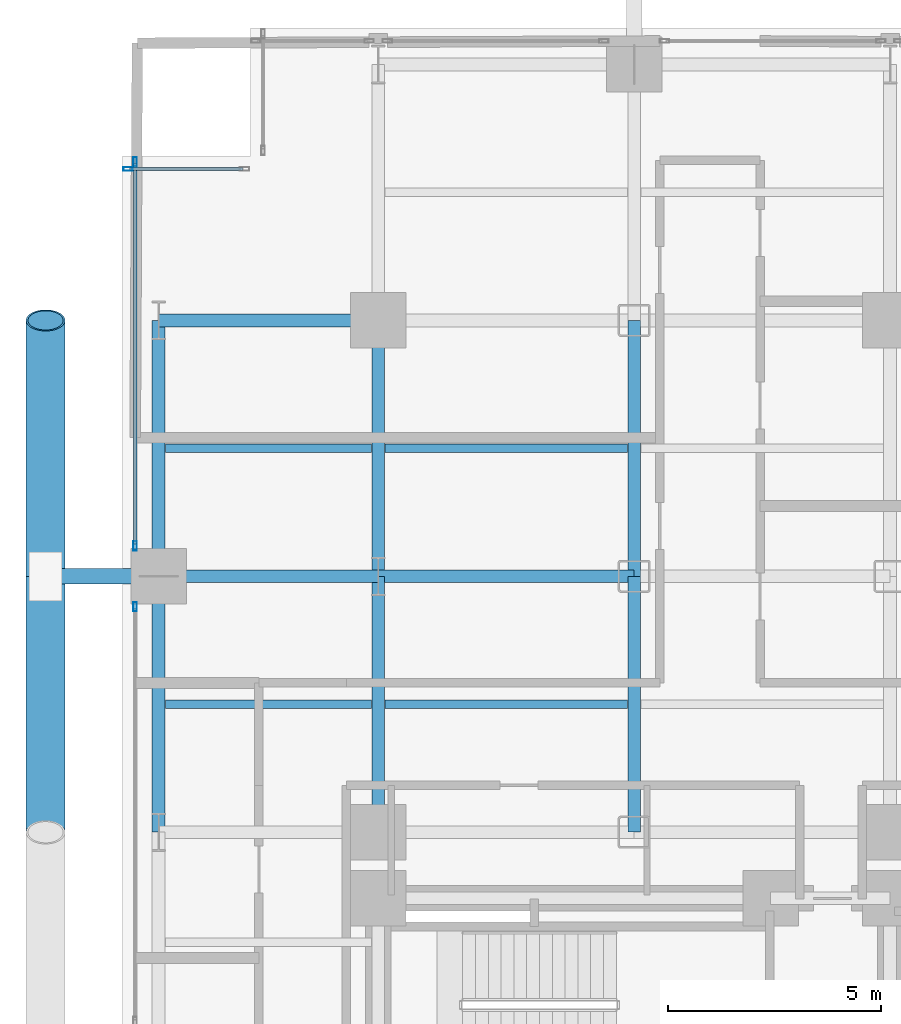
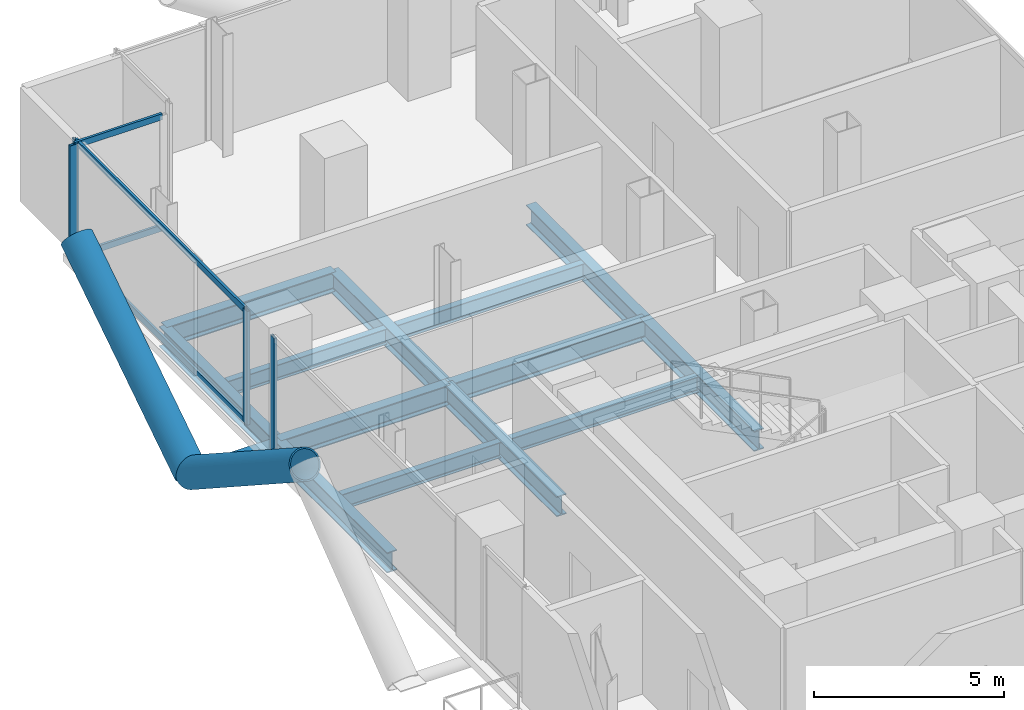
# One storey, part 13 of 25: 13 beams, 11 members, 3 elements without a shape of their own.
"""IFC4 building model written with IfcOpenShell, lengths in metres."""

from ifc_helpers import new_model, si_unit, direction, frame, origin, origin_2d, place, context, subcontext, project, spatial, hollow_rectangle, hollow_circle, i_section, extrude, material, layer, layer_set, material_profile, profile_set, type_object, element, aggregate, save


model = new_model("IFC4")

# Units and contexts
model_context = context("Model", 3, precision=1e-05, world=origin(), true_north=direction((0.0, 1.0)))
body_context = subcontext(model_context, "Body", "Model", "MODEL_VIEW")
ifc_project = project(units=[si_unit("LENGTHUNIT", "METRE"), si_unit("AREAUNIT", "SQUARE_METRE"), si_unit("VOLUMEUNIT", "CUBIC_METRE"), si_unit("PLANEANGLEUNIT", "RADIAN"), si_unit("MASSUNIT", "GRAM", prefix="KILO"), si_unit("THERMODYNAMICTEMPERATUREUNIT", "KELVIN"), si_unit("POWERUNIT", "WATT")], contexts=[model_context])

# Site, building, storey
site_placement = place(None, origin())
site = spatial("IfcSite", under=ifc_project, at=site_placement, CompositionType="ELEMENT")
building_placement = place(site_placement, origin())
building = spatial("IfcBuilding", under=site, at=building_placement, Name="Svarakhadi Broadcast Tower", CompositionType="ELEMENT")
storey_placement = place(building_placement, frame((0.0, 0.0, 83.10009765625)))
storey = spatial("IfcBuildingStorey", under=building, at=storey_placement, Name="L19", CompositionType="ELEMENT", Elevation=83.10009765625)

# Beams
ifc_material_1 = material(Name="Steel S355J2 (IS 2062 E350C)", Category="steel")
ifc_material_profile_1 = material_profile(ifc_material_1, i_section(OverallWidth=0.199951171875, OverallDepth=0.5, WebThickness=0.01025390625, FlangeThickness=0.01611328125, FilletRadius=0.02099609375, at=origin_2d()), Name="NPB 500x200x91")
ifc_profile_set_1 = profile_set([ifc_material_profile_1], Name="Steel S355J2 (IS 2062 E350C)")
beam_type_1 = type_object("IfcBeamType", Name="Beam_NPB500", PredefinedType="BEAM", material=ifc_profile_set_1)
for number, where, z_axis, x_axis, name in (
    (1, (1.010009765625, 32.14990234375, -0.5), (1.0, 0.0, 0.0), (0.0, 1.0, 0.0), "L19 Secondary Composite Beam SB005"),
    (2, (1.010009765625, 38.14990234375, -0.5), (1.0, 0.0, 0.0), (0.0, 1.0, 0.0), "L19 Secondary Composite Beam SB006"),
):
    element("IfcBeam", number, at=place(storey_placement, frame(where, z_axis=z_axis, x_axis=x_axis)), inside=storey, type_object=beam_type_1, Name=name, PredefinedType="BEAM", context=body_context, shape_type="SweptSolid", body=[
        extrude(i_section(OverallWidth=0.199951171875, OverallDepth=0.5, WebThickness=0.01025390625, FlangeThickness=0.01611328125, FilletRadius=0.02099609375, at=origin_2d()), origin(), (0.0, 0.0, 1.0), 4.830078125),
    ])
for number, where, z_axis, x_axis, name in (
    (3, (6.159912109375, 32.14990234375, -0.5), (1.0, 0.0, 0.0), (0.0, 1.0, 0.0), "L19 Secondary Composite Beam SB010"),
    (4, (6.159912109375, 38.14990234375, -0.5), (1.0, 0.0, 0.0), (0.0, 1.0, 0.0), "L19 Secondary Composite Beam SB011"),
):
    element("IfcBeam", number, at=place(storey_placement, frame(where, z_axis=z_axis, x_axis=x_axis)), inside=storey, type_object=beam_type_1, Name=name, PredefinedType="BEAM", context=body_context, shape_type="SweptSolid", body=[
        extrude(i_section(OverallWidth=0.199951171875, OverallDepth=0.5, WebThickness=0.01025390625, FlangeThickness=0.01611328125, FilletRadius=0.02099609375, at=origin_2d()), origin(), (0.0, 0.0, 1.0), 5.68017578125),
    ])

# Curtain wall, member
ifc_material_2 = material(Name="Anodised Bronze Aluminium AA 6063-T6", Category="aluminium")
ifc_layer = layer(ifc_material_2, 0.219970703125)
ifc_layer_set = layer_set([ifc_layer], Name="Anodised Bronze Aluminium AA 6063-T6")
curtain_wall_type = type_object("IfcCurtainWallType", Name="CW_Sys_02", PredefinedType="NOTDEFINED", material=ifc_layer_set)
curtain_wall_1_placement = place(storey_placement, origin())
curtain_wall_1 = element("IfcCurtainWall", 5, at=curtain_wall_1_placement, inside=storey, type_object=curtain_wall_type, Name="L19 West Curtain Wall 03 Bay 2", PredefinedType="NOTDEFINED")
ifc_material_profile_2 = material_profile(ifc_material_2, hollow_rectangle(XDim=0.0849609375, YDim=0.219970703125, WallThickness=0.006103515625, at=origin_2d()), Name="ALU MULLION 220x85x6")
ifc_profile_set_2 = profile_set([ifc_material_profile_2], Name="Anodised Bronze Aluminium AA 6063-T6")
member_type_1 = type_object("IfcMemberType", Name="CW_Sys_02_Mul", PredefinedType="MULLION", material=ifc_profile_set_2)
member_1_placement = place(storey_placement, frame((0.300048828125, 34.4375, 0.0), z_axis=(0.0, 0.0, 1.0), x_axis=(-1.0, 0.0, 0.0)))
member_1 = element("IfcMember", 6, at=member_1_placement, type_object=member_type_1, Name="CW-02 mullion 2", PredefinedType="MULLION", context=body_context, shape_type="SweptSolid", body=[
    extrude(hollow_rectangle(XDim=0.0849609375, YDim=0.219970703125, WallThickness=0.006103515625, at=origin_2d()), origin(), (0.0, 0.0, 1.0), 3.64990234375),
])
aggregate(curtain_wall_1, [member_1])

# Curtain wall, members
curtain_wall_2_placement = place(storey_placement, origin())
curtain_wall_2 = element("IfcCurtainWall", 7, at=curtain_wall_2_placement, inside=storey, type_object=curtain_wall_type, Name="L19 West Curtain Wall 03 Bay 3", PredefinedType="NOTDEFINED")
member_2_placement = place(storey_placement, frame((0.300048828125, 35.862548828125, 0.0), z_axis=(0.0, 0.0, 1.0), x_axis=(-1.0, 0.0, 0.0)))
member_2 = element("IfcMember", 8, at=member_2_placement, type_object=member_type_1, Name="CW-02 mullion 1", PredefinedType="MULLION", context=body_context, shape_type="SweptSolid", body=[
    extrude(hollow_rectangle(XDim=0.0849609375, YDim=0.219970703125, WallThickness=0.006103515625, at=origin_2d()), origin(), (0.0, 0.0, 1.0), 3.64990234375),
])
member_3_placement = place(storey_placement, frame((0.300048828125, 44.867431640625, 0.0), z_axis=(0.0, 0.0, 1.0), x_axis=(-1.0, 0.0, 0.0)))
member_3 = element("IfcMember", 9, at=member_3_placement, type_object=member_type_1, Name="CW-02 mullion 2", PredefinedType="MULLION", context=body_context, shape_type="SweptSolid", body=[
    extrude(hollow_rectangle(XDim=0.0849609375, YDim=0.219970703125, WallThickness=0.006103515625, at=origin_2d()), origin(), (0.0, 0.0, 1.0), 3.64990234375),
])

# Curtain wall, member
curtain_wall_3_placement = place(storey_placement, origin())
curtain_wall_3 = element("IfcCurtainWall", 10, at=curtain_wall_3_placement, inside=storey, type_object=curtain_wall_type, Name="L19 Unitised Facade Curtain Wall 04", PredefinedType="NOTDEFINED")
member_4_placement = place(storey_placement, frame((0.132568359375, 44.699951171875, 0.0), z_axis=(0.0, 0.0, 1.0), x_axis=(0.0, 1.0, 0.0)))
member_4 = element("IfcMember", 11, at=member_4_placement, type_object=member_type_1, Name="CW-02 mullion 1", PredefinedType="MULLION", context=body_context, shape_type="SweptSolid", body=[
    extrude(hollow_rectangle(XDim=0.0849609375, YDim=0.219970703125, WallThickness=0.006103515625, at=origin_2d()), origin(), (0.0, 0.0, 1.0), 3.64990234375),
])

# Member
ifc_material_profile_3 = material_profile(ifc_material_2, hollow_rectangle(XDim=0.074951171875, YDim=0.199951171875, WallThickness=0.0048828125, at=origin_2d()), Name="ALU TRANSOM 200x75x5")
ifc_profile_set_3 = profile_set([ifc_material_profile_3], Name="Anodised Bronze Aluminium AA 6063-T6")
member_type_2 = type_object("IfcMemberType", Name="CW_Sys_02_Trn", PredefinedType="USERDEFINED", material=ifc_profile_set_3)
member_5_placement = place(storey_placement, frame((0.300048828125, 35.905029296875, 0.037353515625), z_axis=(0.0, 1.0, 0.0), x_axis=(-1.0, 0.0, 0.0)))
member_5 = element("IfcMember", 12, at=member_5_placement, type_object=member_type_2, Name="CW-02 transom 1.1", ObjectType="TRANSOM", PredefinedType="USERDEFINED", context=body_context, shape_type="SweptSolid", body=[
    extrude(hollow_rectangle(XDim=0.074951171875, YDim=0.199951171875, WallThickness=0.0048828125, at=origin_2d()), origin(), (0.0, 0.0, 1.0), 8.919921875),
])

member_6_placement = place(storey_placement, frame((0.300048828125, 35.905029296875, 3.6123046875), z_axis=(0.0, 1.0, 0.0), x_axis=(-1.0, 0.0, 0.0)))
member_6 = element("IfcMember", 13, at=member_6_placement, type_object=member_type_2, Name="CW-02 transom 1.2", ObjectType="TRANSOM", PredefinedType="USERDEFINED", context=body_context, shape_type="SweptSolid", body=[
    extrude(hollow_rectangle(XDim=0.074951171875, YDim=0.199951171875, WallThickness=0.0048828125, at=origin_2d()), origin(), (0.0, 0.0, 1.0), 8.919921875),
])

aggregate(curtain_wall_2, [member_2, member_3, member_5, member_6])

member_7_placement = place(storey_placement, frame((0.175048828125, 44.699951171875, 0.037353515625), z_axis=(1.0, 0.0, 0.0), x_axis=(0.0, 1.0, 0.0)))
member_7 = element("IfcMember", 14, at=member_7_placement, type_object=member_type_2, Name="CW-02 transom 1.1", ObjectType="TRANSOM", PredefinedType="USERDEFINED", context=body_context, shape_type="SweptSolid", body=[
    extrude(hollow_rectangle(XDim=0.074951171875, YDim=0.199951171875, WallThickness=0.0048828125, at=origin_2d()), origin(), (0.0, 0.0, 1.0), 2.64990234375),
])

member_8_placement = place(storey_placement, frame((0.175048828125, 44.699951171875, 3.6123046875), z_axis=(1.0, 0.0, 0.0), x_axis=(0.0, 1.0, 0.0)))
member_8 = element("IfcMember", 15, at=member_8_placement, type_object=member_type_2, Name="CW-02 transom 1.2", ObjectType="TRANSOM", PredefinedType="USERDEFINED", context=body_context, shape_type="SweptSolid", body=[
    extrude(hollow_rectangle(XDim=0.074951171875, YDim=0.199951171875, WallThickness=0.0048828125, at=origin_2d()), origin(), (0.0, 0.0, 1.0), 2.64990234375),
])

aggregate(curtain_wall_3, [member_4, member_7, member_8])

# Members
ifc_material_3 = material(Name="Steel S460ML (IS 2062 E450BR)", Category="steel")
ifc_material_profile_4 = material_profile(ifc_material_3, hollow_circle(Radius=0.45703125, WallThickness=0.044921875, at=origin_2d()), Name="CHS 914x45")
ifc_profile_set_4 = profile_set([ifc_material_profile_4], Name="Steel S460ML (IS 2062 E450BR)")
member_type_3 = type_object("IfcMemberType", Name="Exo_Brace_CHS914", PredefinedType="BRACE", material=ifc_profile_set_4)
for number, where, z_axis, x_axis, name in (
    (16, (-1.800048828125, 35.14990234375, -0.427978515625), (0.0, -0.838434262763, 0.545002740383), (1.0, 0.0, 0.0), "L19 Exposed Bronze Exoskeleton Diagonal W06"),
    (17, (-1.800048828125, 35.14990234375, -0.427978515625), (0.0, 0.838434262763, 0.545002740383), (-1.0, 0.0, 0.0), "L19 Exposed Bronze Exoskeleton Diagonal W07"),
):
    element("IfcMember", number, at=place(storey_placement, frame(where, z_axis=z_axis, x_axis=x_axis)), inside=storey, type_object=member_type_3, Name=name, PredefinedType="BRACE", context=body_context, shape_type="SweptSolid", body=[
        extrude(hollow_circle(Radius=0.45703125, WallThickness=0.044921875, at=origin_2d()), origin(), (0.0, 0.0, 1.0), 7.15625),
    ])
ifc_material_profile_5 = material_profile(ifc_material_3, hollow_circle(Radius=0.177734375, WallThickness=0.02001953125, at=origin_2d()), Name="CHS 355.6x20")
ifc_profile_set_5 = profile_set([ifc_material_profile_5], Name="Steel S460ML (IS 2062 E450BR)")
member_type_4 = type_object("IfcMemberType", Name="Exo_Radial_Strut_Z1", PredefinedType="STRUT", material=ifc_profile_set_5)
member_9_placement = place(storey_placement, frame((-1.800048828125, 35.14990234375, -0.427978515625), z_axis=(1.0, 0.0, 0.0), x_axis=(0.0, 1.0, 0.0)))
element("IfcMember", 18, at=member_9_placement, inside=storey, type_object=member_type_4, Name="L19 Exoskeleton Radial Tie Strut W05", PredefinedType="STRUT", context=body_context, shape_type="SweptSolid", body=[
    extrude(hollow_circle(Radius=0.177734375, WallThickness=0.02001953125, at=origin_2d()), origin(), (0.0, 0.0, 1.0), 2.650146484375),
])

# Beams
ifc_material_profile_6 = material_profile(ifc_material_1, i_section(OverallWidth=0.300048828125, OverallDepth=0.64990234375, WebThickness=0.01611328125, FlangeThickness=0.031005859375, FilletRadius=0.027099609375, at=origin_2d()), Name="WPB 650x300x225")
ifc_profile_set_6 = profile_set([ifc_material_profile_6], Name="Steel S355J2 (IS 2062 E350C)")
beam_type_2 = type_object("IfcBeamType", Name="Girder_WPB650", PredefinedType="USERDEFINED", material=ifc_profile_set_6)
beam_1_placement = place(storey_placement, frame((0.85009765625, 35.14990234375, -0.5751953125), z_axis=(1.0, 0.0, 0.0), x_axis=(0.0, 1.0, 0.0)))
element("IfcBeam", 19, at=beam_1_placement, inside=storey, type_object=beam_type_2, Name="L19 Primary E-W Girder G037", ObjectType="GIRDER", PredefinedType="USERDEFINED", context=body_context, shape_type="SweptSolid", body=[
    extrude(i_section(OverallWidth=0.300048828125, OverallDepth=0.64990234375, WebThickness=0.01611328125, FlangeThickness=0.031005859375, FilletRadius=0.027099609375, at=origin_2d()), origin(), (0.0, 0.0, 1.0), 5.14990234375),
])
beam_2_placement = place(storey_placement, frame((6.0, 35.14990234375, -0.5751953125), z_axis=(1.0, 0.0, 0.0), x_axis=(0.0, 1.0, 0.0)))
element("IfcBeam", 20, at=beam_2_placement, inside=storey, type_object=beam_type_2, Name="L19 Primary E-W Girder G038", ObjectType="GIRDER", PredefinedType="USERDEFINED", context=body_context, shape_type="SweptSolid", body=[
    extrude(i_section(OverallWidth=0.300048828125, OverallDepth=0.64990234375, WebThickness=0.01611328125, FlangeThickness=0.031005859375, FilletRadius=0.027099609375, at=origin_2d()), origin(), (0.0, 0.0, 1.0), 6.0),
])
beam_3_placement = place(storey_placement, frame((0.85009765625, 41.14990234375, -0.5751953125), z_axis=(1.0, 0.0, 0.0), x_axis=(0.0, 1.0, 0.0)))
element("IfcBeam", 21, at=beam_3_placement, inside=storey, type_object=beam_type_2, Name="L19 Primary E-W Girder G040", ObjectType="GIRDER", PredefinedType="USERDEFINED", context=body_context, shape_type="SweptSolid", body=[
    extrude(i_section(OverallWidth=0.300048828125, OverallDepth=0.64990234375, WebThickness=0.01611328125, FlangeThickness=0.031005859375, FilletRadius=0.027099609375, at=origin_2d()), origin(), (0.0, 0.0, 1.0), 5.14990234375),
])
for number, where, z_axis, x_axis, name in (
    (22, (0.85009765625, 29.14990234375, -0.5751953125), (0.0, 1.0, 0.0), (-1.0, 0.0, 0.0), "L19 Primary N-S Girder G049"),
    (23, (0.85009765625, 35.14990234375, -0.5751953125), (0.0, 1.0, 0.0), (-1.0, 0.0, 0.0), "L19 Primary N-S Girder G050"),
    (24, (6.0, 29.14990234375, -0.5751953125), (0.0, 1.0, 0.0), (-1.0, 0.0, 0.0), "L19 Primary N-S Girder G055"),
    (25, (6.0, 35.14990234375, -0.5751953125), (0.0, 1.0, 0.0), (-1.0, 0.0, 0.0), "L19 Primary N-S Girder G056"),
    (26, (12.0, 29.14990234375, -0.5751953125), (0.0, 1.0, 0.0), (-1.0, 0.0, 0.0), "L19 Primary N-S Girder G061"),
    (27, (12.0, 35.14990234375, -0.5751953125), (0.0, 1.0, 0.0), (-1.0, 0.0, 0.0), "L19 Primary N-S Girder G062"),
):
    element("IfcBeam", number, at=place(storey_placement, frame(where, z_axis=z_axis, x_axis=x_axis)), inside=storey, type_object=beam_type_2, Name=name, ObjectType="GIRDER", PredefinedType="USERDEFINED", context=body_context, shape_type="SweptSolid", body=[
        extrude(i_section(OverallWidth=0.300048828125, OverallDepth=0.64990234375, WebThickness=0.01611328125, FlangeThickness=0.031005859375, FilletRadius=0.027099609375, at=origin_2d()), origin(), (0.0, 0.0, 1.0), 6.0),
    ])

save(model, "model.ifc")
